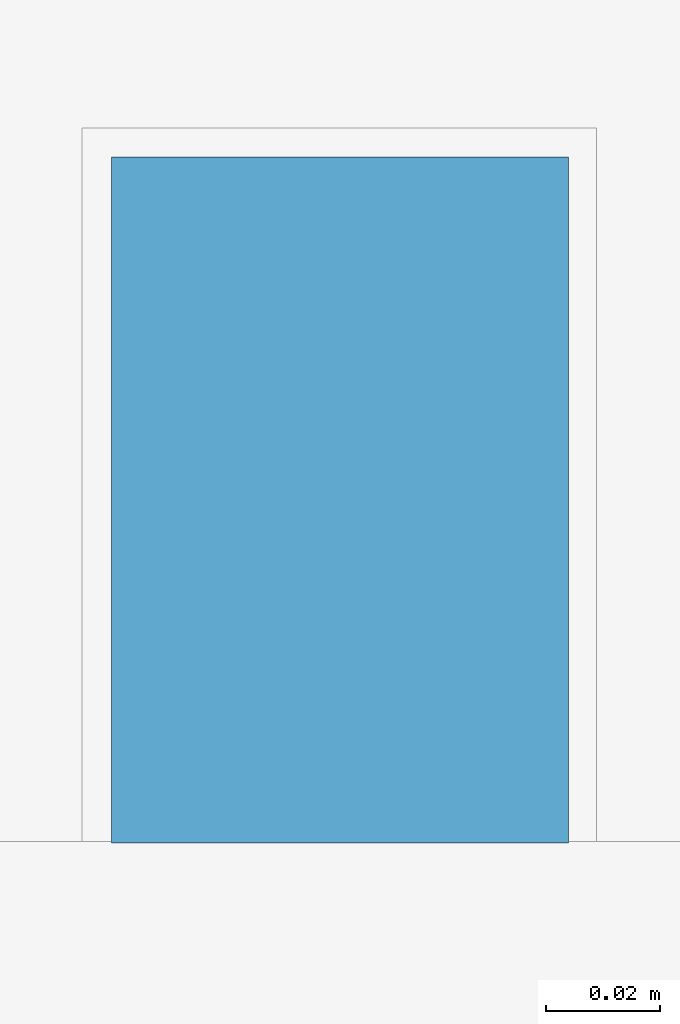
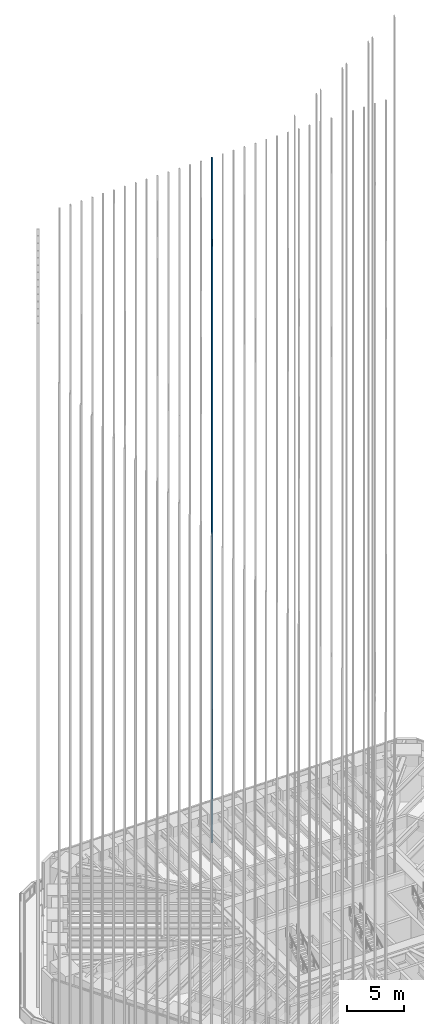
# One storey, part 172 of 228: 1 member, 1 element without a shape of its own.
"""IFC4 building model written with IfcOpenShell, lengths in metres."""

from ifc_helpers import new_model, si_unit, direction, frame, origin, origin_2d, place, context, subcontext, project, spatial, rectangle, extrude, material, material_profile, profile_set, type_object, element, aggregate, save


model = new_model("IFC4")

# Units and contexts
model_context = context("Model", 3, precision=1e-05, world=origin(), true_north=direction((0.0, 1.0)))
body_context = subcontext(model_context, "Body", "Model", "MODEL_VIEW")
ifc_project = project(units=[si_unit("LENGTHUNIT", "METRE"), si_unit("AREAUNIT", "SQUARE_METRE"), si_unit("VOLUMEUNIT", "CUBIC_METRE"), si_unit("PLANEANGLEUNIT", "RADIAN"), si_unit("MASSUNIT", "GRAM", prefix="KILO")], contexts=[model_context])

# Site, building, storey
site_placement = place(None, origin())
site = spatial("IfcSite", under=ifc_project, at=site_placement, CompositionType="ELEMENT")
building_placement = place(site_placement, origin())
building = spatial("IfcBuilding", under=site, at=building_placement, Name="Sandreach Pilgrim Tower", CompositionType="ELEMENT")
storey_placement = place(building_placement, frame((0.0, 0.0, 178.199951171875)))
storey = spatial("IfcBuildingStorey", under=building, at=storey_placement, Name="L44", CompositionType="ELEMENT", Elevation=178.199951171875)

# Curtain wall, member
ifc_material_1 = material(Name="Aluminium framed curtain wall", Category="aluminium")
curtain_wall_type = type_object("IfcCurtainWallType", Name="Upper hotel tower curtain wall", PredefinedType="NOTDEFINED", material=ifc_material_1)
curtain_wall_placement = place(storey_placement, origin())
curtain_wall = element("IfcCurtainWall", 1, at=curtain_wall_placement, inside=storey, type_object=curtain_wall_type, Name="CW-3 L44 N", PredefinedType="NOTDEFINED")
ifc_material_2 = material(Name="Extruded terracotta on aluminium core", Category="masonry")
ifc_material_profile = material_profile(ifc_material_2, rectangle(XDim=0.080078125, YDim=0.1201171875, at=origin_2d()), Name="TBN 80X120")
ifc_profile_set = profile_set([ifc_material_profile], Name="Extruded terracotta on aluminium core")
member_type = type_object("IfcMemberType", Name="Terracotta baguette north", PredefinedType="USERDEFINED", material=ifc_profile_set)
member_placement = place(storey_placement, frame((-1.099853515625, 21.52001953125, 0.0), z_axis=(0.0, 0.0, 1.0), x_axis=(1.0, 0.0, 0.0)))
member = element("IfcMember", 2, at=member_placement, type_object=member_type, Name="Baguette Z3 N15", ObjectType="BAGUETTE", PredefinedType="USERDEFINED", context=body_context, shape_type="SweptSolid", body=[
    extrude(rectangle(XDim=0.080078125, YDim=0.1201171875, at=origin_2d()), origin(), (0.0, 0.0, 1.0), 73.239990234375),
])
aggregate(curtain_wall, [member])

save(model, "model.ifc")
